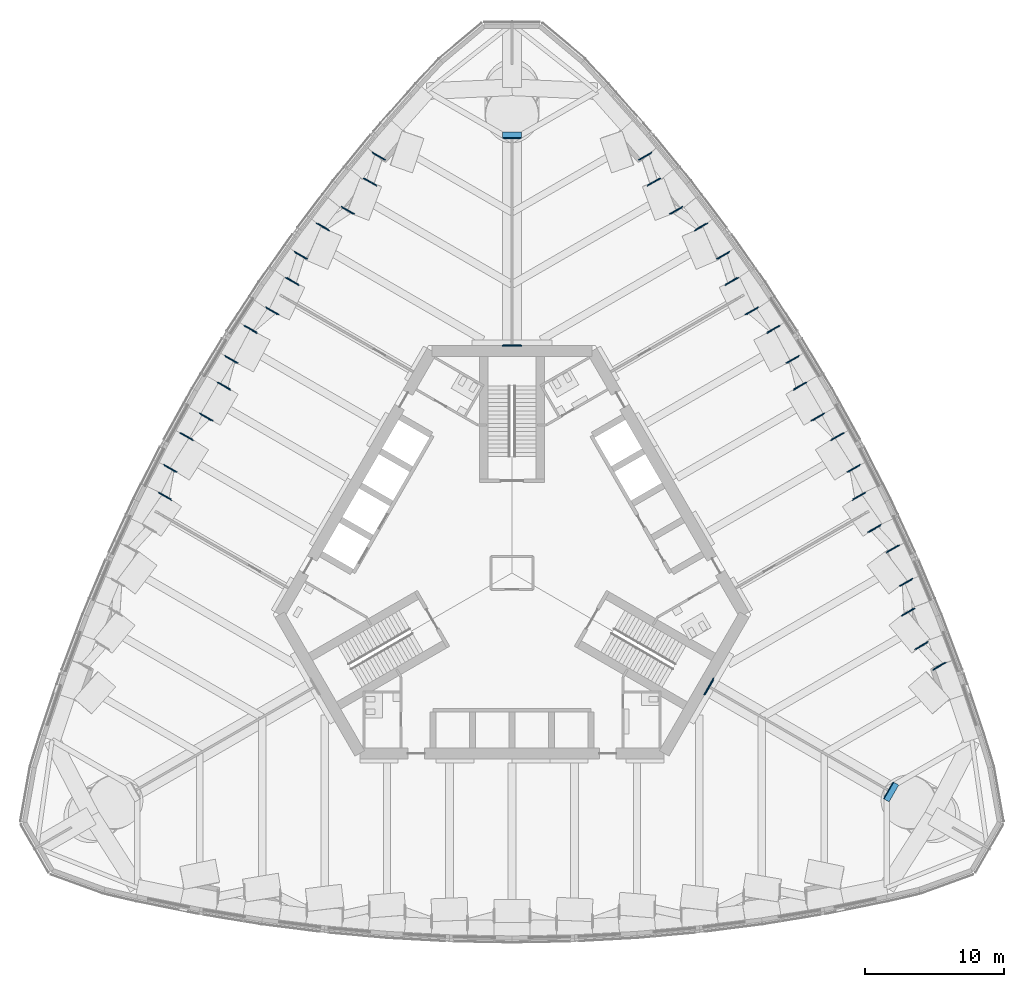
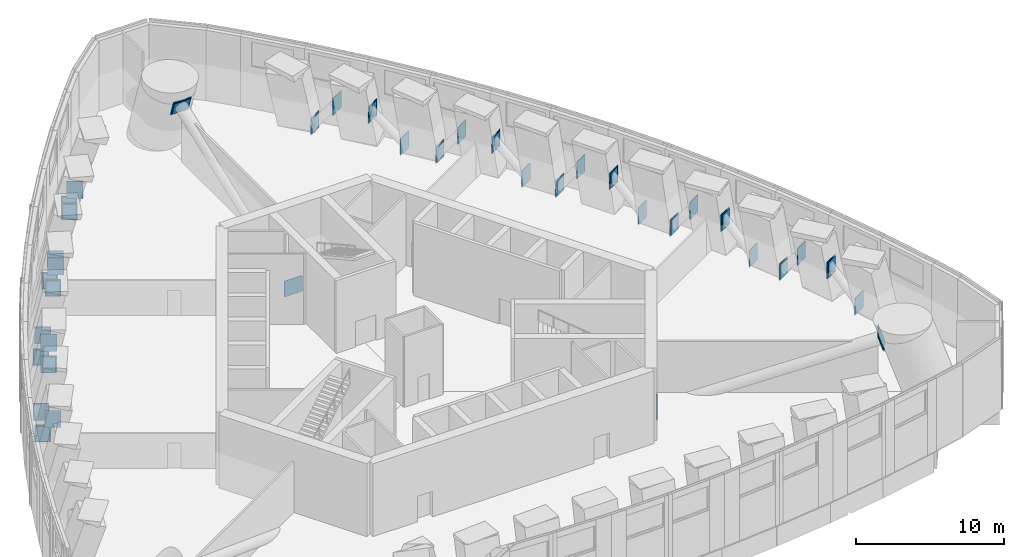
# One storey, part 11 of 25: 38 discrete accessories.
"""IFC4 building model written with IfcOpenShell, lengths in metres."""

from ifc_helpers import new_model, si_unit, direction, frame, origin, origin_2d, place, context, subcontext, project, spatial, rectangle, extrude, material, type_object, element, save


model = new_model("IFC4")

# Units and contexts
model_context = context("Model", 3, precision=1e-05, world=origin(), true_north=direction((0.0, 1.0)))
body_context = subcontext(model_context, "Body", "Model", "MODEL_VIEW")
ifc_project = project(units=[si_unit("LENGTHUNIT", "METRE"), si_unit("AREAUNIT", "SQUARE_METRE"), si_unit("VOLUMEUNIT", "CUBIC_METRE"), si_unit("PLANEANGLEUNIT", "RADIAN"), si_unit("MASSUNIT", "GRAM", prefix="KILO")], contexts=[model_context])

# Site, building, storey
site_placement = place(None, origin())
site = spatial("IfcSite", under=ifc_project, at=site_placement, CompositionType="ELEMENT")
building_placement = place(site_placement, origin())
building = spatial("IfcBuilding", under=site, at=building_placement, Name="Trefoil Bronze Tower", CompositionType="ELEMENT")
storey_placement = place(building_placement, frame((0.0, 0.0, 178.699951171875)))
storey = spatial("IfcBuildingStorey", under=building, at=storey_placement, Name="L41", CompositionType="ELEMENT", Elevation=178.699951171875)

# Discrete accessories
ifc_material = material(Name="Steel C355", Category="steel")
discrete_accessory_type = type_object("IfcDiscreteAccessoryType", Name="End plate and cast-in plate of a brace connection", PredefinedType="USERDEFINED", material=ifc_material)
for number, where, z_axis, x_axis, name in (
    (1, (30.80078125, -6.69677734375, 0.597900390625), (0.0, 0.0, 1.0), (-0.499999999907, 0.866025403838, 0.0), "Belt truss diagonal F2.1 L41 end plate and cast-in plate, lower end"),
    (2, (29.512939453125, -5.246337890625, 3.15234375), (0.0, 0.0, 1.0), (0.499999999907, -0.866025403838, 0.0), "Belt truss diagonal F2.1 L41 end plate and cast-in plate, upper end"),
    (3, (28.413818359375, -0.684814453125, 0.597900390625), (0.0, 0.0, 1.0), (0.499999999907, -0.866025403838, 0.0), "Belt truss diagonal F2.2 L41 end plate and cast-in plate, lower end"),
    (4, (28.54345703125, -2.803955078125, 3.15234375), (0.0, 0.0, 1.0), (-0.499999999907, 0.866025403838, 0.0), "Belt truss diagonal F2.2 L41 end plate and cast-in plate, upper end"),
    (5, (27.43017578125, 1.74951171875, 0.597900390625), (0.0, 0.0, 1.0), (-0.499999999907, 0.866025403838, 0.0), "Belt truss diagonal F2.3 L41 end plate and cast-in plate, lower end"),
    (6, (26.121826171875, 3.18798828125, 3.15234375), (0.0, 0.0, 1.0), (0.499999999907, -0.866025403838, 0.0), "Belt truss diagonal F2.3 L41 end plate and cast-in plate, upper end"),
    (7, (24.633544921875, 7.52490234375, 0.597900390625), (0.0, 0.0, 1.0), (0.499999999907, -0.866025403838, 0.0), "Belt truss diagonal F2.4 L41 end plate and cast-in plate, lower end"),
):
    element("IfcDiscreteAccessory", number, at=place(storey_placement, frame(where, z_axis=z_axis, x_axis=x_axis)), inside=storey, type_object=discrete_accessory_type, Name=name, ObjectType="END PLATE AND CAST-IN PLATE", PredefinedType="USERDEFINED", context=body_context, shape_type="SweptSolid", body=[
        extrude(rectangle(XDim=0.0400390625, YDim=0.929931640625, at=origin_2d()), frame((0.02001953125, 0.0, -0.625)), (0.0, 0.0, 1.0), 1.25),
        extrude(rectangle(XDim=0.050048828125, YDim=1.10009765625, at=origin_2d()), frame((-0.025146484375, 0.0, -0.699951171875)), (0.0, 0.0, 1.0), 1.39990234375),
    ])
discrete_accessory_1_placement = place(storey_placement, frame((24.985595703125, 5.5341796875, 3.15234375), z_axis=(0.0, 0.0, 1.0), x_axis=(-0.499999999907, 0.866025403838, 0.0)))
element("IfcDiscreteAccessory", 8, at=discrete_accessory_1_placement, inside=storey, type_object=discrete_accessory_type, Name="Belt truss diagonal F2.4 L41 end plate and cast-in plate, upper end", ObjectType="END PLATE AND CAST-IN PLATE", PredefinedType="USERDEFINED", context=body_context, shape_type="SweptSolid", body=[
    extrude(rectangle(XDim=0.0400390625, YDim=0.929931640625, at=origin_2d()), frame((0.02001953125, 0.0, -0.625)), (0.0, 0.0, 1.0), 1.25),
    extrude(rectangle(XDim=0.050048828125, YDim=1.10009765625, at=origin_2d()), frame((-0.02490234375, 0.0, -0.699951171875)), (0.0, 0.0, 1.0), 1.39990234375),
])
discrete_accessory_2_placement = place(storey_placement, frame((23.43798828125, 9.8369140625, 0.597900390625), z_axis=(0.0, 0.0, 1.0), x_axis=(-0.499999999907, 0.866025403838, 0.0)))
element("IfcDiscreteAccessory", 9, at=discrete_accessory_2_placement, inside=storey, type_object=discrete_accessory_type, Name="Belt truss diagonal F2.5 L41 end plate and cast-in plate, lower end", ObjectType="END PLATE AND CAST-IN PLATE", PredefinedType="USERDEFINED", context=body_context, shape_type="SweptSolid", body=[
    extrude(rectangle(XDim=0.0400390625, YDim=0.929931640625, at=origin_2d()), frame((0.02001953125, 0.0, -0.625)), (0.0, 0.0, 1.0), 1.25),
    extrude(rectangle(XDim=0.050048828125, YDim=1.10009765625, at=origin_2d()), frame((-0.025146484375, 0.0, -0.699951171875)), (0.0, 0.0, 1.0), 1.39990234375),
])
discrete_accessory_3_placement = place(storey_placement, frame((22.04296875, 11.225341796875, 3.15234375), z_axis=(0.0, 0.0, 1.0), x_axis=(0.499999999907, -0.866025403838, 0.0)))
element("IfcDiscreteAccessory", 10, at=discrete_accessory_3_placement, inside=storey, type_object=discrete_accessory_type, Name="Belt truss diagonal F2.5 L41 end plate and cast-in plate, upper end", ObjectType="END PLATE AND CAST-IN PLATE", PredefinedType="USERDEFINED", context=body_context, shape_type="SweptSolid", body=[
    extrude(rectangle(XDim=0.0400390625, YDim=0.929931640625, at=origin_2d()), frame((0.019775390625, -0.000244140625, -0.625)), (0.0, 0.0, 1.0), 1.25),
    extrude(rectangle(XDim=0.050048828125, YDim=1.10009765625, at=origin_2d()), frame((-0.025146484375, -0.000244140625, -0.699951171875)), (0.0, 0.0, 1.0), 1.39990234375),
])
for number, where, z_axis, x_axis, name in (
    (11, (20.238037109375, 15.37939453125, 0.597900390625), (0.0, 0.0, 1.0), (0.499999999907, -0.866025403838, 0.0), "Belt truss diagonal F2.6 L41 end plate and cast-in plate, lower end"),
    (12, (20.742919921875, 13.47705078125, 3.15234375), (0.0, 0.0, 1.0), (-0.499999999907, 0.866025403838, 0.0), "Belt truss diagonal F2.6 L41 end plate and cast-in plate, upper end"),
    (13, (18.83349609375, 17.57080078125, 0.597900390625), (0.0, 0.0, 1.0), (-0.499999999907, 0.866025403838, 0.0), "Belt truss diagonal F2.7 L41 end plate and cast-in plate, lower end"),
    (14, (17.28564453125, 18.87109375, 3.15234375), (0.0, 0.0, 1.0), (0.499999999907, -0.866025403838, 0.0), "Belt truss diagonal F2.7 L41 end plate and cast-in plate, upper end"),
    (15, (15.230224609375, 22.88037109375, 0.597900390625), (0.0, 0.0, 1.0), (0.499999999907, -0.866025403838, 0.0), "Belt truss diagonal F2.8 L41 end plate and cast-in plate, lower end"),
):
    element("IfcDiscreteAccessory", number, at=place(storey_placement, frame(where, z_axis=z_axis, x_axis=x_axis)), inside=storey, type_object=discrete_accessory_type, Name=name, ObjectType="END PLATE AND CAST-IN PLATE", PredefinedType="USERDEFINED", context=body_context, shape_type="SweptSolid", body=[
        extrude(rectangle(XDim=0.0400390625, YDim=0.929931640625, at=origin_2d()), frame((0.02001953125, 0.0, -0.625)), (0.0, 0.0, 1.0), 1.25),
        extrude(rectangle(XDim=0.050048828125, YDim=1.10009765625, at=origin_2d()), frame((-0.025146484375, 0.0, -0.699951171875)), (0.0, 0.0, 1.0), 1.39990234375),
    ])
for number, where, z_axis, x_axis, name in (
    (16, (15.82177734375, 21.028076171875, 3.15234375), (0.0, 0.0, 1.0), (-0.499999999907, 0.866025403838, 0.0), "Belt truss diagonal F2.8 L41 end plate and cast-in plate, upper end"),
    (17, (13.614013671875, 24.949462890625, 0.597900390625), (0.0, 0.0, 1.0), (-0.499999999907, 0.866025403838, 0.0), "Belt truss diagonal F2.9 L41 end plate and cast-in plate, lower end"),
):
    element("IfcDiscreteAccessory", number, at=place(storey_placement, frame(where, z_axis=z_axis, x_axis=x_axis)), inside=storey, type_object=discrete_accessory_type, Name=name, ObjectType="END PLATE AND CAST-IN PLATE", PredefinedType="USERDEFINED", context=body_context, shape_type="SweptSolid", body=[
        extrude(rectangle(XDim=0.0400390625, YDim=0.929931640625, at=origin_2d()), frame((0.02001953125, 0.0, -0.625)), (0.0, 0.0, 1.0), 1.25),
        extrude(rectangle(XDim=0.050048828125, YDim=1.10009765625, at=origin_2d()), frame((-0.02490234375, 0.0, -0.699951171875)), (0.0, 0.0, 1.0), 1.39990234375),
    ])
for number, where, z_axis, x_axis, name in (
    (18, (11.843505859375, 26.121337890625, 3.15234375), (0.0, 0.0, 1.0), (0.499999999907, -0.866025403838, 0.0), "Belt truss diagonal F2.9 L41 end plate and cast-in plate, upper end"),
    (19, (9.600830078125, 30.022705078125, 0.597900390625), (0.0, 0.0, 1.0), (0.499999999907, -0.866025403838, 0.0), "Belt truss diagonal F2.10 L41 end plate and cast-in plate, lower end"),
):
    element("IfcDiscreteAccessory", number, at=place(storey_placement, frame(where, z_axis=z_axis, x_axis=x_axis)), inside=storey, type_object=discrete_accessory_type, Name=name, ObjectType="END PLATE AND CAST-IN PLATE", PredefinedType="USERDEFINED", context=body_context, shape_type="SweptSolid", body=[
        extrude(rectangle(XDim=0.0400390625, YDim=0.929931640625, at=origin_2d()), frame((0.02001953125, 0.0, -0.625)), (0.0, 0.0, 1.0), 1.25),
        extrude(rectangle(XDim=0.050048828125, YDim=1.10009765625, at=origin_2d()), frame((-0.02490234375, -0.000244140625, -0.699951171875)), (0.0, 0.0, 1.0), 1.39990234375),
    ])
discrete_accessory_4_placement = place(storey_placement, frame((10.213134765625, 28.18212890625, 3.15234375), z_axis=(0.0, 0.0, 1.0), x_axis=(-0.499999999907, 0.866025403838, 0.0)))
element("IfcDiscreteAccessory", 20, at=discrete_accessory_4_placement, inside=storey, type_object=discrete_accessory_type, Name="Belt truss diagonal F2.10 L41 end plate and cast-in plate, upper end", ObjectType="END PLATE AND CAST-IN PLATE", PredefinedType="USERDEFINED", context=body_context, shape_type="SweptSolid", body=[
    extrude(rectangle(XDim=0.0400390625, YDim=0.929931640625, at=origin_2d()), frame((0.02001953125, 0.0, -0.625)), (0.0, 0.0, 1.0), 1.25),
    extrude(rectangle(XDim=0.050048828125, YDim=1.10009765625, at=origin_2d()), frame((-0.02490234375, 0.0, -0.699951171875)), (0.0, 0.0, 1.0), 1.39990234375),
])
discrete_accessory_5_placement = place(storey_placement, frame((-9.600830078125, 30.022705078125, 0.597900390625), z_axis=(0.0, 0.0, 1.0), x_axis=(-0.499999999907, -0.866025403838, 0.0)))
element("IfcDiscreteAccessory", 21, at=discrete_accessory_5_placement, inside=storey, type_object=discrete_accessory_type, Name="Belt truss diagonal F3.1 L41 end plate and cast-in plate, lower end", ObjectType="END PLATE AND CAST-IN PLATE", PredefinedType="USERDEFINED", context=body_context, shape_type="SweptSolid", body=[
    extrude(rectangle(XDim=0.0400390625, YDim=0.929931640625, at=origin_2d()), frame((0.02001953125, 0.0, -0.625)), (0.0, 0.0, 1.0), 1.25),
    extrude(rectangle(XDim=0.050048828125, YDim=1.10009765625, at=origin_2d()), frame((-0.02490234375, 0.000244140625, -0.699951171875)), (0.0, 0.0, 1.0), 1.39990234375),
])
for number, where, z_axis, x_axis, name in (
    (22, (-10.213134765625, 28.18212890625, 3.15234375), (0.0, 0.0, 1.0), (0.499999999907, 0.866025403838, 0.0), "Belt truss diagonal F3.1 L41 end plate and cast-in plate, upper end"),
    (23, (-13.614013671875, 24.949462890625, 0.597900390625), (0.0, 0.0, 1.0), (0.499999999907, 0.866025403838, 0.0), "Belt truss diagonal F3.2 L41 end plate and cast-in plate, lower end"),
):
    element("IfcDiscreteAccessory", number, at=place(storey_placement, frame(where, z_axis=z_axis, x_axis=x_axis)), inside=storey, type_object=discrete_accessory_type, Name=name, ObjectType="END PLATE AND CAST-IN PLATE", PredefinedType="USERDEFINED", context=body_context, shape_type="SweptSolid", body=[
        extrude(rectangle(XDim=0.0400390625, YDim=0.929931640625, at=origin_2d()), frame((0.02001953125, 0.0, -0.625)), (0.0, 0.0, 1.0), 1.25),
        extrude(rectangle(XDim=0.050048828125, YDim=1.10009765625, at=origin_2d()), frame((-0.02490234375, 0.0, -0.699951171875)), (0.0, 0.0, 1.0), 1.39990234375),
    ])
discrete_accessory_6_placement = place(storey_placement, frame((-11.843505859375, 26.121337890625, 3.15234375), z_axis=(0.0, 0.0, 1.0), x_axis=(-0.499999999907, -0.866025403838, 0.0)))
element("IfcDiscreteAccessory", 24, at=discrete_accessory_6_placement, inside=storey, type_object=discrete_accessory_type, Name="Belt truss diagonal F3.2 L41 end plate and cast-in plate, upper end", ObjectType="END PLATE AND CAST-IN PLATE", PredefinedType="USERDEFINED", context=body_context, shape_type="SweptSolid", body=[
    extrude(rectangle(XDim=0.0400390625, YDim=0.929931640625, at=origin_2d()), frame((0.02001953125, 0.0, -0.625)), (0.0, 0.0, 1.0), 1.25),
    extrude(rectangle(XDim=0.050048828125, YDim=1.10009765625, at=origin_2d()), frame((-0.02490234375, 0.000244140625, -0.699951171875)), (0.0, 0.0, 1.0), 1.39990234375),
])
discrete_accessory_7_placement = place(storey_placement, frame((-15.230224609375, 22.88037109375, 0.597900390625), z_axis=(0.0, 0.0, 1.0), x_axis=(-0.499999999907, -0.866025403838, 0.0)))
element("IfcDiscreteAccessory", 25, at=discrete_accessory_7_placement, inside=storey, type_object=discrete_accessory_type, Name="Belt truss diagonal F3.3 L41 end plate and cast-in plate, lower end", ObjectType="END PLATE AND CAST-IN PLATE", PredefinedType="USERDEFINED", context=body_context, shape_type="SweptSolid", body=[
    extrude(rectangle(XDim=0.0400390625, YDim=0.929931640625, at=origin_2d()), frame((0.02001953125, 0.0, -0.625)), (0.0, 0.0, 1.0), 1.25),
    extrude(rectangle(XDim=0.050048828125, YDim=1.10009765625, at=origin_2d()), frame((-0.025146484375, 0.0, -0.699951171875)), (0.0, 0.0, 1.0), 1.39990234375),
])
discrete_accessory_8_placement = place(storey_placement, frame((-15.82177734375, 21.028076171875, 3.15234375), z_axis=(0.0, 0.0, 1.0), x_axis=(0.499999999907, 0.866025403838, 0.0)))
element("IfcDiscreteAccessory", 26, at=discrete_accessory_8_placement, inside=storey, type_object=discrete_accessory_type, Name="Belt truss diagonal F3.3 L41 end plate and cast-in plate, upper end", ObjectType="END PLATE AND CAST-IN PLATE", PredefinedType="USERDEFINED", context=body_context, shape_type="SweptSolid", body=[
    extrude(rectangle(XDim=0.0400390625, YDim=0.929931640625, at=origin_2d()), frame((0.02001953125, 0.0, -0.625)), (0.0, 0.0, 1.0), 1.25),
    extrude(rectangle(XDim=0.050048828125, YDim=1.10009765625, at=origin_2d()), frame((-0.02490234375, 0.0, -0.699951171875)), (0.0, 0.0, 1.0), 1.39990234375),
])
for number, where, z_axis, x_axis, name in (
    (27, (-18.83349609375, 17.57080078125, 0.597900390625), (0.0, 0.0, 1.0), (0.499999999907, 0.866025403838, 0.0), "Belt truss diagonal F3.4 L41 end plate and cast-in plate, lower end"),
    (28, (-17.28564453125, 18.87109375, 3.15234375), (0.0, 0.0, 1.0), (-0.499999999907, -0.866025403838, 0.0), "Belt truss diagonal F3.4 L41 end plate and cast-in plate, upper end"),
    (29, (-20.238037109375, 15.37939453125, 0.597900390625), (0.0, 0.0, 1.0), (-0.499999999907, -0.866025403838, 0.0), "Belt truss diagonal F3.5 L41 end plate and cast-in plate, lower end"),
    (30, (-20.742919921875, 13.47705078125, 3.15234375), (0.0, 0.0, 1.0), (0.499999999907, 0.866025403838, 0.0), "Belt truss diagonal F3.5 L41 end plate and cast-in plate, upper end"),
    (31, (-23.43798828125, 9.8369140625, 0.597900390625), (0.0, 0.0, 1.0), (0.499999999907, 0.866025403838, 0.0), "Belt truss diagonal F3.6 L41 end plate and cast-in plate, lower end"),
):
    element("IfcDiscreteAccessory", number, at=place(storey_placement, frame(where, z_axis=z_axis, x_axis=x_axis)), inside=storey, type_object=discrete_accessory_type, Name=name, ObjectType="END PLATE AND CAST-IN PLATE", PredefinedType="USERDEFINED", context=body_context, shape_type="SweptSolid", body=[
        extrude(rectangle(XDim=0.0400390625, YDim=0.929931640625, at=origin_2d()), frame((0.02001953125, 0.0, -0.625)), (0.0, 0.0, 1.0), 1.25),
        extrude(rectangle(XDim=0.050048828125, YDim=1.10009765625, at=origin_2d()), frame((-0.025146484375, 0.0, -0.699951171875)), (0.0, 0.0, 1.0), 1.39990234375),
    ])
discrete_accessory_9_placement = place(storey_placement, frame((-22.04296875, 11.225341796875, 3.15234375), z_axis=(0.0, 0.0, 1.0), x_axis=(-0.499999999907, -0.866025403838, 0.0)))
element("IfcDiscreteAccessory", 32, at=discrete_accessory_9_placement, inside=storey, type_object=discrete_accessory_type, Name="Belt truss diagonal F3.6 L41 end plate and cast-in plate, upper end", ObjectType="END PLATE AND CAST-IN PLATE", PredefinedType="USERDEFINED", context=body_context, shape_type="SweptSolid", body=[
    extrude(rectangle(XDim=0.0400390625, YDim=0.929931640625, at=origin_2d()), frame((0.019775390625, 0.000244140625, -0.625)), (0.0, 0.0, 1.0), 1.25),
    extrude(rectangle(XDim=0.050048828125, YDim=1.10009765625, at=origin_2d()), frame((-0.025146484375, 0.000244140625, -0.699951171875)), (0.0, 0.0, 1.0), 1.39990234375),
])
discrete_accessory_10_placement = place(storey_placement, frame((-24.633544921875, 7.52490234375, 0.597900390625), z_axis=(0.0, 0.0, 1.0), x_axis=(-0.499999999907, -0.866025403838, 0.0)))
element("IfcDiscreteAccessory", 33, at=discrete_accessory_10_placement, inside=storey, type_object=discrete_accessory_type, Name="Belt truss diagonal F3.7 L41 end plate and cast-in plate, lower end", ObjectType="END PLATE AND CAST-IN PLATE", PredefinedType="USERDEFINED", context=body_context, shape_type="SweptSolid", body=[
    extrude(rectangle(XDim=0.0400390625, YDim=0.929931640625, at=origin_2d()), frame((0.02001953125, 0.0, -0.625)), (0.0, 0.0, 1.0), 1.25),
    extrude(rectangle(XDim=0.050048828125, YDim=1.10009765625, at=origin_2d()), frame((-0.025146484375, 0.0, -0.699951171875)), (0.0, 0.0, 1.0), 1.39990234375),
])
discrete_accessory_11_placement = place(storey_placement, frame((-24.985595703125, 5.5341796875, 3.15234375), z_axis=(0.0, 0.0, 1.0), x_axis=(0.499999999907, 0.866025403838, 0.0)))
element("IfcDiscreteAccessory", 34, at=discrete_accessory_11_placement, inside=storey, type_object=discrete_accessory_type, Name="Belt truss diagonal F3.7 L41 end plate and cast-in plate, upper end", ObjectType="END PLATE AND CAST-IN PLATE", PredefinedType="USERDEFINED", context=body_context, shape_type="SweptSolid", body=[
    extrude(rectangle(XDim=0.0400390625, YDim=0.929931640625, at=origin_2d()), frame((0.02001953125, 0.0, -0.625)), (0.0, 0.0, 1.0), 1.25),
    extrude(rectangle(XDim=0.050048828125, YDim=1.10009765625, at=origin_2d()), frame((-0.02490234375, 0.0, -0.699951171875)), (0.0, 0.0, 1.0), 1.39990234375),
])
discrete_accessory_12_placement = place(storey_placement, frame((14.202880859375, -8.199951171875, -1.231201171875), z_axis=(0.0, 0.0, 1.0), x_axis=(0.866025403838, -0.499999999907, 0.0)))
element("IfcDiscreteAccessory", 35, at=discrete_accessory_12_placement, inside=storey, type_object=discrete_accessory_type, Name="Outrigger brace K1 L41 end plate and cast-in plate, core end", ObjectType="END PLATE AND CAST-IN PLATE", PredefinedType="USERDEFINED", context=body_context, shape_type="SweptSolid", body=[
    extrude(rectangle(XDim=0.050048828125, YDim=1.23388671875, at=origin_2d()), frame((0.02490234375, 0.0, -0.60009765625)), (0.0, 0.0, 1.0), 1.199951171875),
    extrude(rectangle(XDim=0.06005859375, YDim=1.39990234375, at=origin_2d()), frame((-0.030029296875, -0.000244140625, -0.64990234375)), (0.0, 0.0, 1.0), 1.300048828125),
])
discrete_accessory_13_placement = place(storey_placement, frame((27.2939453125, -15.758056640625, 4.443115234375), z_axis=(-0.273861278995, 0.158113882997, 0.948683297982), x_axis=(-0.821583836145, 0.474341649084, -0.316227766221)))
element("IfcDiscreteAccessory", 36, at=discrete_accessory_13_placement, inside=storey, type_object=discrete_accessory_type, Name="Outrigger brace K1 L41 end plate and cast-in plate, mega column end", ObjectType="END PLATE AND CAST-IN PLATE", PredefinedType="USERDEFINED", context=body_context, shape_type="SweptSolid", body=[
    extrude(rectangle(XDim=0.050048828125, YDim=1.23388671875, at=origin_2d()), frame((0.025146484375, 0.000244140625, -0.574951171875)), (0.0, 0.0, 1.0), 1.14990234375),
    extrude(rectangle(XDim=0.06005859375, YDim=1.39990234375, at=origin_2d()), frame((-0.030029296875, 0.0, -0.64990234375)), (0.0, 0.0, 1.0), 1.300048828125),
])
discrete_accessory_14_placement = place(storey_placement, frame((0.0, 16.39990234375, -1.231201171875), z_axis=(0.0, 0.0, 1.0), x_axis=(0.0, 1.0, 0.0)))
element("IfcDiscreteAccessory", 37, at=discrete_accessory_14_placement, inside=storey, type_object=discrete_accessory_type, Name="Outrigger brace K2 L41 end plate and cast-in plate, core end", ObjectType="END PLATE AND CAST-IN PLATE", PredefinedType="USERDEFINED", context=body_context, shape_type="SweptSolid", body=[
    extrude(rectangle(XDim=0.050048828125, YDim=1.23388671875, at=origin_2d()), frame((0.025146484375, 0.0, -0.60009765625)), (0.0, 0.0, 1.0), 1.199951171875),
    extrude(rectangle(XDim=0.06005859375, YDim=1.39990234375, at=origin_2d()), frame((-0.02978515625, 0.0, -0.64990234375)), (0.0, 0.0, 1.0), 1.300048828125),
])
discrete_accessory_15_placement = place(storey_placement, frame((0.0, 31.51611328125, 4.443115234375), z_axis=(0.0, -0.316227766017, 0.948683298051), x_axis=(0.0, -0.948683298051, -0.316227766017)))
element("IfcDiscreteAccessory", 38, at=discrete_accessory_15_placement, inside=storey, type_object=discrete_accessory_type, Name="Outrigger brace K2 L41 end plate and cast-in plate, mega column end", ObjectType="END PLATE AND CAST-IN PLATE", PredefinedType="USERDEFINED", context=body_context, shape_type="SweptSolid", body=[
    extrude(rectangle(XDim=0.050048828125, YDim=1.23388671875, at=origin_2d()), frame((0.02490234375, 0.0, -0.5751953125)), (0.0, 0.0, 1.0), 1.14990234375),
    extrude(rectangle(XDim=0.06005859375, YDim=1.39990234375, at=origin_2d()), frame((-0.030029296875, 0.0, -0.64990234375)), (0.0, 0.0, 1.0), 1.300048828125),
])

save(model, "model.ifc")
